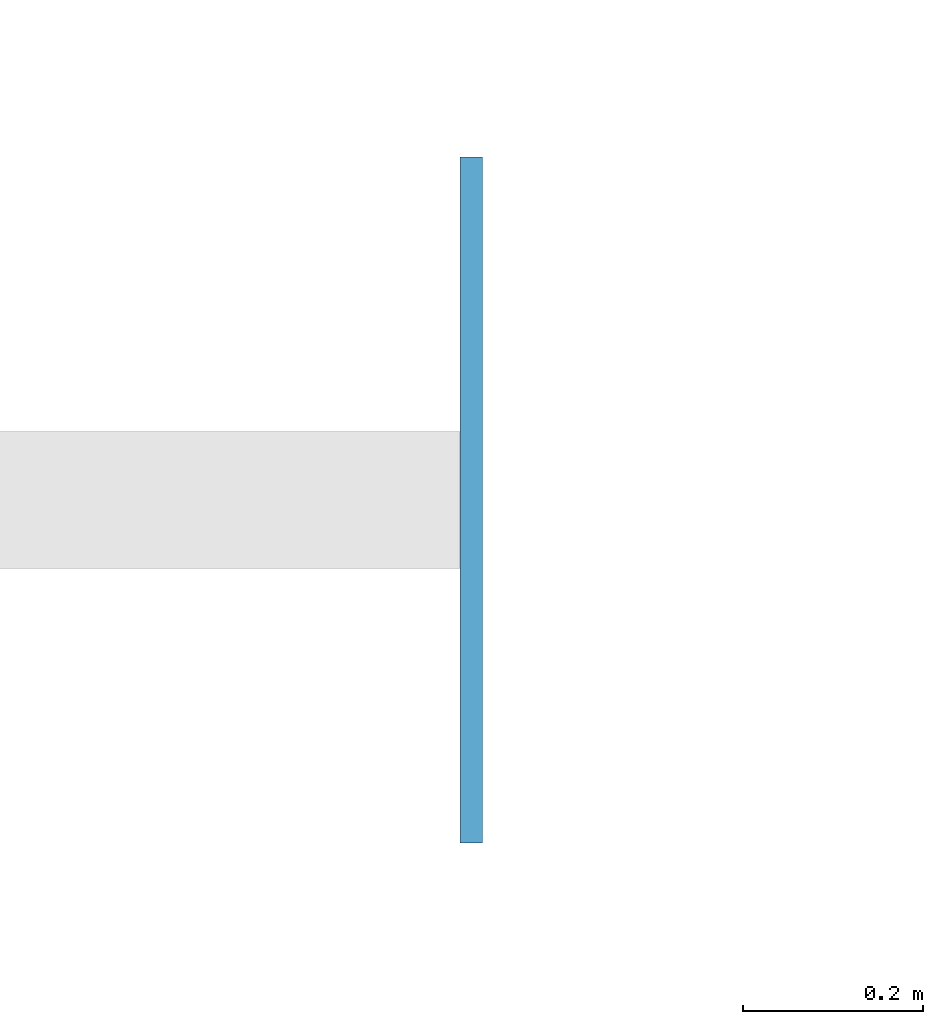
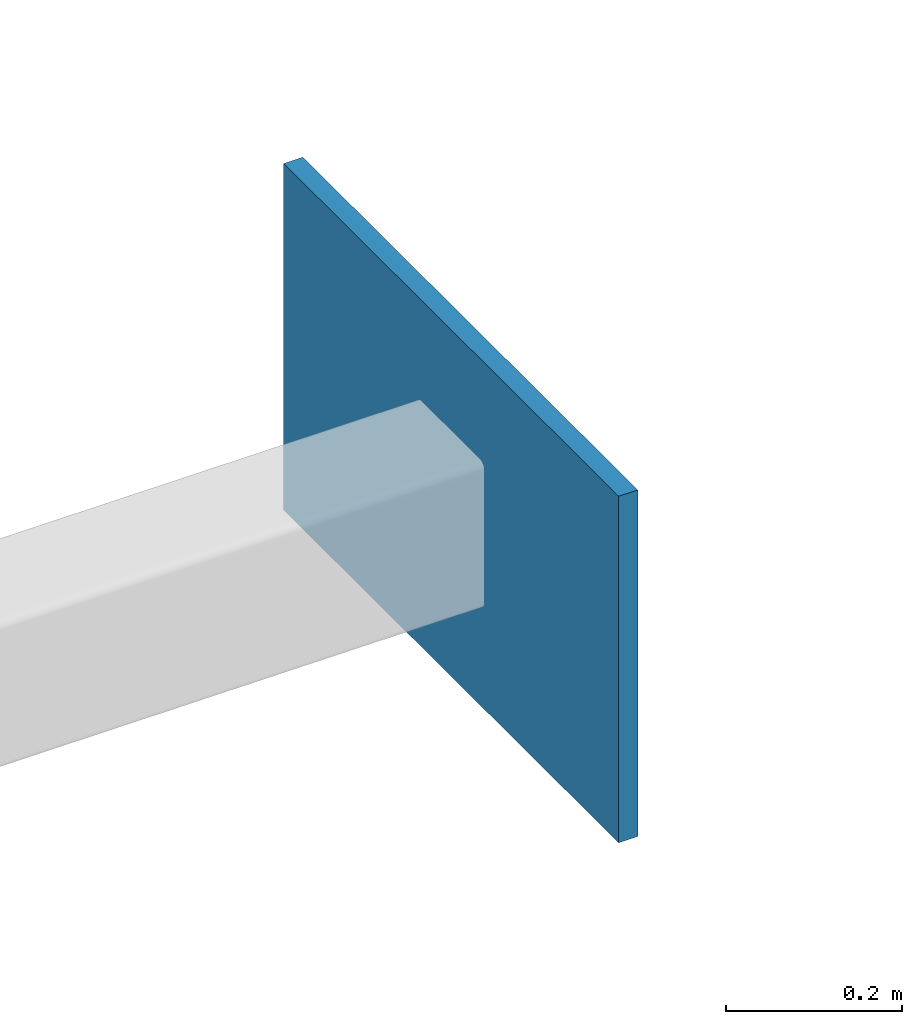
# One storey, part 77 of 94: 1 plate.
"""IFC4 building model written with IfcOpenShell, lengths in metres."""

from ifc_helpers import new_model, si_unit, direction, frame, origin_with_axes, origin_2d_with_axis, place, context, subcontext, project, spatial, rectangle, extrude, material, layer, layer_set, type_object, element, save


model = new_model("IFC4")

# Units and contexts
model_context = context("Model", 3, precision=1e-05, world=origin_with_axes(), true_north=direction((0.0, 1.0)))
body_context = subcontext(model_context, "Body", "Model", "MODEL_VIEW")
ifc_project = project(units=[si_unit("LENGTHUNIT", "METRE"), si_unit("AREAUNIT", "SQUARE_METRE"), si_unit("VOLUMEUNIT", "CUBIC_METRE"), si_unit("PLANEANGLEUNIT", "RADIAN"), si_unit("MASSUNIT", "GRAM", prefix="KILO"), si_unit("THERMODYNAMICTEMPERATUREUNIT", "KELVIN")], contexts=[model_context])

# Site, building, storey
site_placement = place(None, origin_with_axes())
site = spatial("IfcSite", under=ifc_project, at=site_placement, CompositionType="ELEMENT")
building_placement = place(site_placement, origin_with_axes())
building = spatial("IfcBuilding", under=site, at=building_placement, Name="Montbau Bow Law Courts", CompositionType="ELEMENT")
storey_placement = place(building_placement, frame((0.0, 0.0, 15.6), z_axis=(0.0, 0.0, 1.0), x_axis=(1.0, 0.0, 0.0)))
storey = spatial("IfcBuildingStorey", under=building, at=storey_placement, Name="L03", CompositionType="ELEMENT", Elevation=15.6)

# Plate
ifc_material = material(Name="Steel CSA G40.21 Grade 350W (350 MPa)", Category="steel")
ifc_layer = layer(ifc_material, 0.025, Name="Gusset Plate", Category="steel")
ifc_layer_set = layer_set([ifc_layer], Name="Steel CSA G40.21 Grade 350W (350 MPa)")
plate_type = type_object("IfcPlateType", Name="PL-GUS-02", PredefinedType="USERDEFINED", material=ifc_layer_set)
plate_placement = place(None, frame((105.6, 30.6, 15.298), z_axis=(0.0, 0.0, 1.0), x_axis=(1.0, 0.0, 0.0)))
element("IfcPlate", 1, at=plate_placement, inside=storey, type_object=plate_type, Name="ECP-V4-11:plt_0251", ObjectType="GUSSET_PLATE", PredefinedType="USERDEFINED", context=body_context, shape_type="SweptSolid", body=[
    extrude(rectangle(XDim=0.025, YDim=0.76, at=origin_2d_with_axis()), origin_with_axes(), (0.0, 0.0, 1.0), 0.48),
])

save(model, "model.ifc")
